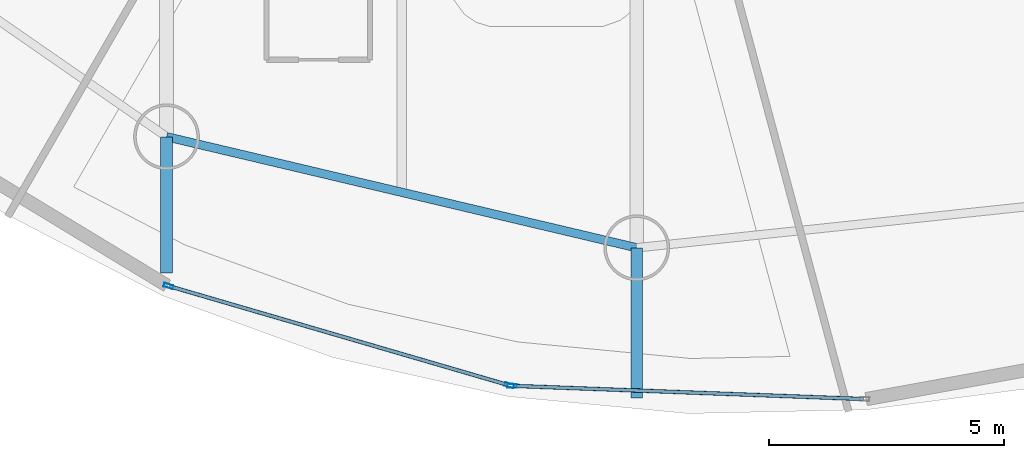
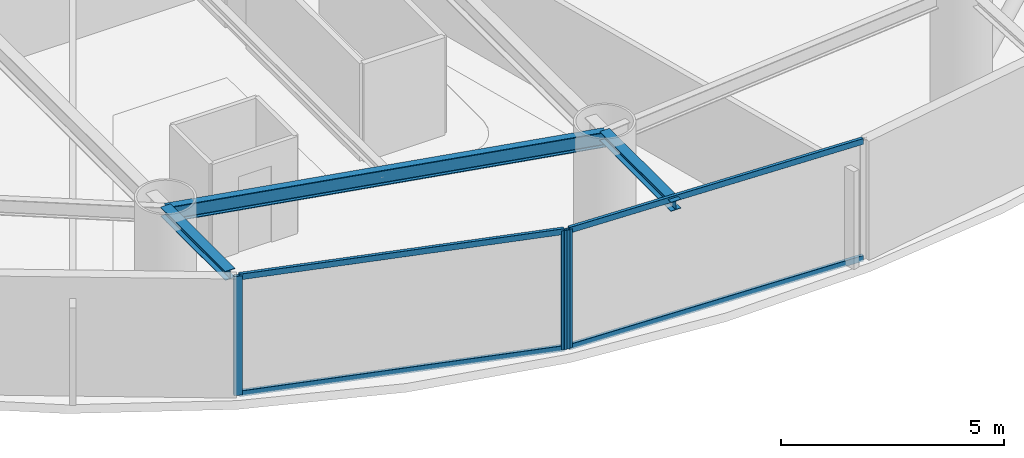
# One storey, part 2 of 22: 7 members, 3 beams, 2 elements without a shape of their own.
"""IFC4 building model written with IfcOpenShell, lengths in metres."""

from ifc_helpers import new_model, si_unit, direction, frame, origin, origin_2d, place, context, subcontext, project, spatial, hollow_rectangle, i_section, extrude, material, layer, layer_set, material_profile, profile_set, type_object, element, aggregate, save


model = new_model("IFC4")

# Units and contexts
model_context = context("Model", 3, precision=1e-05, world=origin(), true_north=direction((0.0, 1.0)))
body_context = subcontext(model_context, "Body", "Model", "MODEL_VIEW")
ifc_project = project(units=[si_unit("LENGTHUNIT", "METRE"), si_unit("AREAUNIT", "SQUARE_METRE"), si_unit("VOLUMEUNIT", "CUBIC_METRE"), si_unit("PLANEANGLEUNIT", "RADIAN"), si_unit("MASSUNIT", "GRAM", prefix="KILO")], contexts=[model_context])

# Site, building, storey
site_placement = place(None, origin())
site = spatial("IfcSite", under=ifc_project, at=site_placement, CompositionType="ELEMENT")
building_placement = place(site_placement, origin())
building = spatial("IfcBuilding", under=site, at=building_placement, Name="Bramvorn Convention Spire", CompositionType="ELEMENT")
storey_placement = place(building_placement, frame((0.0, 0.0, 127.300048828125)))
storey = spatial("IfcBuildingStorey", under=building, at=storey_placement, Name="L31", CompositionType="ELEMENT", Elevation=127.300048828125)

# Beams
ifc_material_1 = material(Name="Steel CSA G40.21 Grade 350 (350W)", Category="steel")
ifc_material_profile_1 = material_profile(ifc_material_1, i_section(OverallWidth=0.25390625, OverallDepth=0.2529296875, WebThickness=0.008544921875, FlangeThickness=0.01416015625, FilletRadius=0.011962890625, at=origin_2d()))
ifc_profile_set_1 = profile_set([ifc_material_profile_1], Name="Steel CSA G40.21 Grade 350 (350W) - W250X73")
beam_type_1 = type_object("IfcBeamType", Name="BM-W250X73", PredefinedType="BEAM", material=ifc_profile_set_1)
beam_1_placement = place(storey_placement, frame((29.917236328125, 7.845947265625, 3.133544921875), z_axis=(0.0, -1.0, 0.0), x_axis=(1.0, 0.0, 0.0)))
element("IfcBeam", 1, at=beam_1_placement, inside=storey, type_object=beam_type_1, Name="L31 slab-edge cantilever tip beam MC13", PredefinedType="BEAM", context=body_context, shape_type="SweptSolid", body=[
    extrude(i_section(OverallWidth=0.25390625, OverallDepth=0.2529296875, WebThickness=0.008544921875, FlangeThickness=0.01416015625, FilletRadius=0.011962890625, at=origin_2d()), origin(), (0.0, 0.0, 1.0), 2.9033203125),
])
beam_2_placement = place(storey_placement, frame((39.924072265625, 5.482666015625, 3.133544921875), z_axis=(0.0, -1.0, 0.0), x_axis=(1.0, 0.0, 0.0)))
element("IfcBeam", 2, at=beam_2_placement, inside=storey, type_object=beam_type_1, Name="L31 slab-edge cantilever tip beam MC14", PredefinedType="BEAM", context=body_context, shape_type="SweptSolid", body=[
    extrude(i_section(OverallWidth=0.25390625, OverallDepth=0.2529296875, WebThickness=0.008544921875, FlangeThickness=0.01416015625, FilletRadius=0.011962890625, at=origin_2d()), origin(), (0.0, 0.0, 1.0), 3.199951171875),
])
ifc_material_profile_2 = material_profile(ifc_material_1, i_section(OverallWidth=0.180908203125, OverallDepth=0.4169921875, WebThickness=0.010986328125, FlangeThickness=0.018310546875, FilletRadius=0.01611328125, at=origin_2d()))
ifc_profile_set_2 = profile_set([ifc_material_profile_2], Name="Steel CSA G40.21 Grade 350 (350W) - W410X85")
beam_type_2 = type_object("IfcBeamType", Name="BM-W410X85", PredefinedType="JOIST", material=ifc_profile_set_2)
beam_3_placement = place(storey_placement, frame((29.917236328125, 7.845947265625, 3.051513671875), z_axis=(0.97322750491, -0.229843911572, 0.0), x_axis=(0.229843911572, 0.97322750491, 0.0)))
element("IfcBeam", 3, at=beam_3_placement, inside=storey, type_object=beam_type_2, Name="L31 mega-column ring beam 13", PredefinedType="JOIST", context=body_context, shape_type="SweptSolid", body=[
    extrude(i_section(OverallWidth=0.180908203125, OverallDepth=0.4169921875, WebThickness=0.010986328125, FlangeThickness=0.018310546875, FilletRadius=0.01611328125, at=origin_2d()), origin(), (0.0, 0.0, 1.0), 10.2822265625),
])

# Curtain wall, members
ifc_material_2 = material(Name="Anodised Bronze Unitised Curtain Wall", Category="aluminium")
ifc_layer = layer(ifc_material_2, 0.179931640625)
ifc_layer_set = layer_set([ifc_layer], Name="Anodised Bronze Unitised Curtain Wall - CW-HTL-FRIT")
curtain_wall_type = type_object("IfcCurtainWallType", Name="CW-HTL-FRIT", PredefinedType="USERDEFINED", material=ifc_layer_set)
curtain_wall_1_placement = place(storey_placement, origin())
curtain_wall_1 = element("IfcCurtainWall", 4, at=curtain_wall_1_placement, inside=storey, type_object=curtain_wall_type, Name="L31 fritted glass curtain wall 19", ObjectType="UNITISED CURTAIN WALL", PredefinedType="USERDEFINED")
ifc_material_3 = material(Name="Anodised Bronze Aluminium 6063-T6", Category="aluminium")
ifc_material_profile_3 = material_profile(ifc_material_3, hollow_rectangle(XDim=0.080078125, YDim=0.199951171875, WallThickness=0.00390625, InnerFilletRadius=0.0009765625, OuterFilletRadius=0.00390625, at=origin_2d()))
ifc_profile_set_3 = profile_set([ifc_material_profile_3], Name="Anodised Bronze Aluminium 6063-T6 - CWM80X200")
member_type_1 = type_object("IfcMemberType", Name="CW-MUL-180", PredefinedType="MULLION", material=ifc_profile_set_3)
member_1_placement = place(storey_placement, frame((37.21337890625, 2.554931640625, 0.0), z_axis=(0.0, 0.0, 1.0), x_axis=(-0.279871954029, -0.960037337476, 0.0)))
member_1 = element("IfcMember", 5, at=member_1_placement, type_object=member_type_1, Name="CW2 mullion 1", PredefinedType="MULLION", context=body_context, shape_type="SweptSolid", body=[
    extrude(hollow_rectangle(XDim=0.080078125, YDim=0.199951171875, WallThickness=0.00390625, InnerFilletRadius=0.0009765625, OuterFilletRadius=0.00390625, at=origin_2d()), origin(), (0.0, 0.0, 1.0), 3.260009765625),
])
member_2_placement = place(storey_placement, frame((29.9580078125, 4.669921875, 0.0), z_axis=(0.0, 0.0, 1.0), x_axis=(-0.279871954029, -0.960037337476, 0.0)))
member_2 = element("IfcMember", 6, at=member_2_placement, type_object=member_type_1, Name="CW2 mullion 2", PredefinedType="MULLION", context=body_context, shape_type="SweptSolid", body=[
    extrude(hollow_rectangle(XDim=0.080078125, YDim=0.199951171875, WallThickness=0.00390625, InnerFilletRadius=0.0009765625, OuterFilletRadius=0.00390625, at=origin_2d()), origin(), (0.0, 0.0, 1.0), 3.260009765625),
])

# Curtain wall, member
curtain_wall_2_placement = place(storey_placement, origin())
curtain_wall_2 = element("IfcCurtainWall", 7, at=curtain_wall_2_placement, inside=storey, type_object=curtain_wall_type, Name="L31 fritted glass curtain wall 20", ObjectType="UNITISED CURTAIN WALL", PredefinedType="USERDEFINED")
member_3_placement = place(storey_placement, frame((37.272216796875, 2.54541015625, 0.0), z_axis=(0.0, 0.0, 1.0), x_axis=(-0.037520330185, -0.999295864508, 0.0)))
member_3 = element("IfcMember", 8, at=member_3_placement, type_object=member_type_1, Name="CW2 mullion 2", PredefinedType="MULLION", context=body_context, shape_type="SweptSolid", body=[
    extrude(hollow_rectangle(XDim=0.080078125, YDim=0.199951171875, WallThickness=0.00390625, InnerFilletRadius=0.0009765625, OuterFilletRadius=0.00390625, at=origin_2d()), origin(), (0.0, 0.0, 1.0), 3.260009765625),
])

# Member
ifc_material_profile_4 = material_profile(ifc_material_3, hollow_rectangle(XDim=0.080078125, YDim=0.159912109375, WallThickness=0.00390625, InnerFilletRadius=0.0009765625, OuterFilletRadius=0.00390625, at=origin_2d()))
ifc_profile_set_4 = profile_set([ifc_material_profile_4], Name="Anodised Bronze Aluminium 6063-T6 - CWT80X160")
member_type_2 = type_object("IfcMemberType", Name="CW-TRN-150", PredefinedType="USERDEFINED", material=ifc_profile_set_4)
member_4_placement = place(storey_placement, frame((37.184814453125, 2.563232421875, 0.030029296875), z_axis=(-0.960036826264, 0.279873707619, 0.0), x_axis=(-0.279873707619, -0.960036826264, 0.0)))
member_4 = element("IfcMember", 9, at=member_4_placement, type_object=member_type_2, Name="CW2 transom 1.1", ObjectType="TRANSOM", PredefinedType="USERDEFINED", context=body_context, shape_type="SweptSolid", body=[
    extrude(hollow_rectangle(XDim=0.080078125, YDim=0.159912109375, WallThickness=0.00390625, InnerFilletRadius=0.0009765625, OuterFilletRadius=0.00390625, at=origin_2d()), origin(), (0.0, 0.0, 1.0), 7.49755859375),
])

member_5_placement = place(storey_placement, frame((37.184814453125, 2.563232421875, 3.22998046875), z_axis=(-0.960036826264, 0.279873707619, 0.0), x_axis=(-0.279873707619, -0.960036826264, 0.0)))
member_5 = element("IfcMember", 10, at=member_5_placement, type_object=member_type_2, Name="CW2 transom 1.2", ObjectType="TRANSOM", PredefinedType="USERDEFINED", context=body_context, shape_type="SweptSolid", body=[
    extrude(hollow_rectangle(XDim=0.080078125, YDim=0.159912109375, WallThickness=0.00390625, InnerFilletRadius=0.0009765625, OuterFilletRadius=0.00390625, at=origin_2d()), origin(), (0.0, 0.0, 1.0), 7.49755859375),
])

aggregate(curtain_wall_1, [member_1, member_2, member_4, member_5])

member_6_placement = place(storey_placement, frame((44.746337890625, 2.2646484375, 0.030029296875), z_axis=(-0.999295666053, 0.03752561535, 0.0), x_axis=(-0.03752561535, -0.999295666053, 0.0)))
member_6 = element("IfcMember", 11, at=member_6_placement, type_object=member_type_2, Name="CW2 transom 1.1", ObjectType="TRANSOM", PredefinedType="USERDEFINED", context=body_context, shape_type="SweptSolid", body=[
    extrude(hollow_rectangle(XDim=0.080078125, YDim=0.159912109375, WallThickness=0.00390625, InnerFilletRadius=0.0009765625, OuterFilletRadius=0.00390625, at=origin_2d()), origin(), (0.0, 0.0, 1.0), 7.44921875),
])

member_7_placement = place(storey_placement, frame((44.746337890625, 2.2646484375, 3.22998046875), z_axis=(-0.999295666053, 0.03752561535, 0.0), x_axis=(-0.03752561535, -0.999295666053, 0.0)))
member_7 = element("IfcMember", 12, at=member_7_placement, type_object=member_type_2, Name="CW2 transom 1.2", ObjectType="TRANSOM", PredefinedType="USERDEFINED", context=body_context, shape_type="SweptSolid", body=[
    extrude(hollow_rectangle(XDim=0.080078125, YDim=0.159912109375, WallThickness=0.00390625, InnerFilletRadius=0.0009765625, OuterFilletRadius=0.00390625, at=origin_2d()), origin(), (0.0, 0.0, 1.0), 7.44921875),
])

aggregate(curtain_wall_2, [member_3, member_6, member_7])

save(model, "model.ifc")
